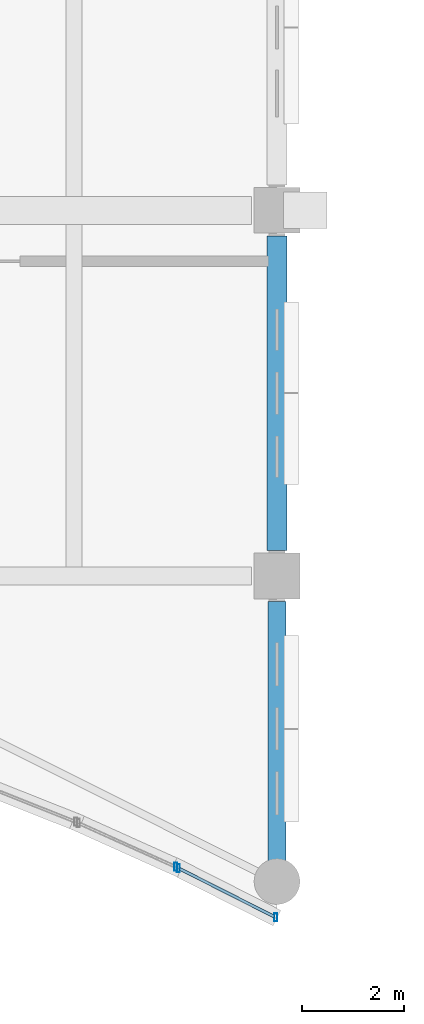
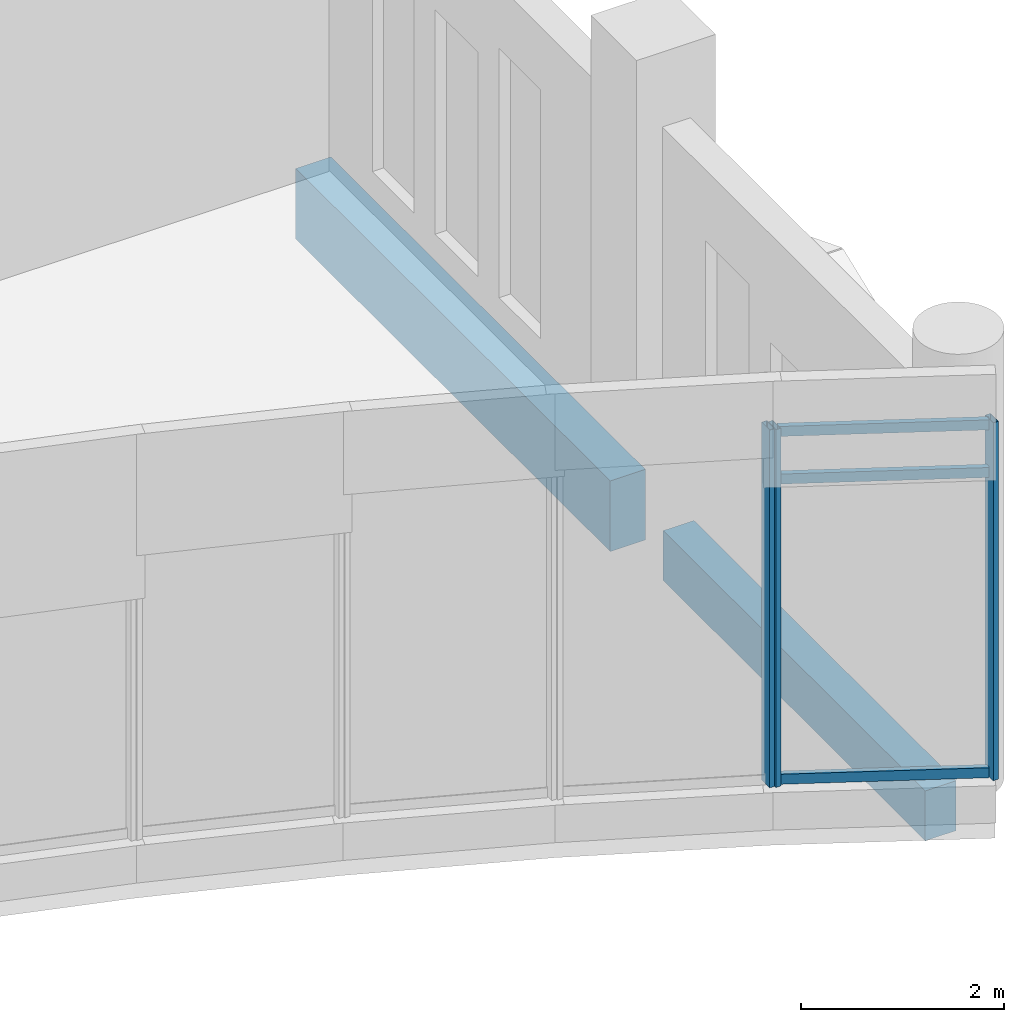
# One storey, part 101 of 192: 6 members, 2 beams, 2 elements without a shape of their own.
"""IFC4 building model written with IfcOpenShell, lengths in metres."""

from ifc_helpers import new_model, si_unit, direction, frame, origin, origin_2d, place, context, subcontext, project, spatial, rectangle, hollow_rectangle, extrude, material, material_profile, profile_set, type_object, element, aggregate, save


model = new_model("IFC4")

# Units and contexts
model_context = context("Model", 3, precision=1e-05, world=origin(), true_north=direction((0.0, 1.0)))
body_context = subcontext(model_context, "Body", "Model", "MODEL_VIEW")
ifc_project = project(units=[si_unit("LENGTHUNIT", "METRE"), si_unit("AREAUNIT", "SQUARE_METRE"), si_unit("VOLUMEUNIT", "CUBIC_METRE"), si_unit("PLANEANGLEUNIT", "RADIAN"), si_unit("MASSUNIT", "GRAM", prefix="KILO")], contexts=[model_context])

# Site, building, storey
site_placement = place(None, origin())
site = spatial("IfcSite", under=ifc_project, at=site_placement, CompositionType="ELEMENT")
building_placement = place(site_placement, origin())
building = spatial("IfcBuilding", under=site, at=building_placement, Name="Cendralis Lancet Convention Centre", CompositionType="ELEMENT")
storey_placement = place(building_placement, origin())
storey = spatial("IfcBuildingStorey", under=building, at=storey_placement, Name="L00", CompositionType="ELEMENT", Elevation=0.0)

# Curtain wall, member
ifc_material_1 = material(Name="Anodised bronze architectural aluminium", Category="aluminium")
curtain_wall_type = type_object("IfcCurtainWallType", Name="ARC-CW-WF02", PredefinedType="USERDEFINED", material=ifc_material_1)
curtain_wall_1_placement = place(storey_placement, origin())
curtain_wall_1 = element("IfcCurtainWall", 1, at=curtain_wall_1_placement, inside=storey, type_object=curtain_wall_type, Name="L00 Curtain Wall CW-WF2 #089", ObjectType="CURTAIN WALL", PredefinedType="USERDEFINED")
ifc_material_profile_1 = material_profile(ifc_material_1, hollow_rectangle(XDim=0.06005859375, YDim=0.159912109375, WallThickness=0.00390625, at=origin_2d()), Name="AL-MULL 60x160x4.0")
ifc_profile_set_1 = profile_set([ifc_material_profile_1], Name="Anodised bronze architectural aluminium")
member_type_1 = type_object("IfcMemberType", Name="ARC-CW-ML01", PredefinedType="MULLION", material=ifc_profile_set_1)
member_1_placement = place(storey_placement, frame((206.8037109375, 1.473388671875, 0.449951171875), z_axis=(0.0, 0.0, 1.0), x_axis=(1.0, 0.0, 0.0)))
member_1 = element("IfcMember", 2, at=member_1_placement, type_object=member_type_1, Name="Mullion CW2-CW-WF2-L00-089-M1", PredefinedType="MULLION", context=body_context, shape_type="SweptSolid", body=[
    extrude(hollow_rectangle(XDim=0.06005859375, YDim=0.159912109375, WallThickness=0.00390625, at=origin_2d()), origin(), (0.0, 0.0, 1.0), 4.304931640625),
])
aggregate(curtain_wall_1, [member_1])

# Curtain wall, members
curtain_wall_2_placement = place(storey_placement, origin())
curtain_wall_2 = element("IfcCurtainWall", 3, at=curtain_wall_2_placement, inside=storey, type_object=curtain_wall_type, Name="L00 Curtain Wall CW-WF2 #090", ObjectType="CURTAIN WALL", PredefinedType="USERDEFINED")
member_2_placement = place(storey_placement, frame((206.85791015625, 1.447509765625, 0.449951171875), z_axis=(0.0, 0.0, 1.0), x_axis=(1.0, 0.0, 0.0)))
member_2 = element("IfcMember", 4, at=member_2_placement, type_object=member_type_1, Name="Mullion CW2-CW-WF2-L00-090-M0", PredefinedType="MULLION", context=body_context, shape_type="SweptSolid", body=[
    extrude(hollow_rectangle(XDim=0.06005859375, YDim=0.159912109375, WallThickness=0.00390625, at=origin_2d()), origin(), (0.0, 0.0, 1.0), 4.304931640625),
])
member_3_placement = place(storey_placement, frame((208.773193359375, 0.4775390625, 0.449951171875), z_axis=(0.0, 0.0, 1.0), x_axis=(1.0, 0.0, 0.0)))
member_3 = element("IfcMember", 5, at=member_3_placement, type_object=member_type_1, Name="Mullion CW2-CW-WF2-L00-090-M1", PredefinedType="MULLION", context=body_context, shape_type="SweptSolid", body=[
    extrude(hollow_rectangle(XDim=0.06005859375, YDim=0.159912109375, WallThickness=0.00390625, at=origin_2d()), origin(), (0.0, 0.0, 1.0), 4.304931640625),
])
ifc_material_profile_2 = material_profile(ifc_material_1, hollow_rectangle(XDim=0.06005859375, YDim=0.1201171875, WallThickness=0.00390625, at=origin_2d()), Name="AL-TRAN 60x120x4.0")
ifc_profile_set_2 = profile_set([ifc_material_profile_2], Name="Anodised bronze architectural aluminium")
member_type_2 = type_object("IfcMemberType", Name="ARC-CW-TR01", PredefinedType="USERDEFINED", material=ifc_profile_set_2)
member_4_placement = place(storey_placement, frame((206.884521484375, 1.433837890625, 0.510009765625), z_axis=(0.89219355713, -0.451653248207, 0.0), x_axis=(0.451653248207, 0.89219355713, 0.0)))
member_4 = element("IfcMember", 6, at=member_4_placement, type_object=member_type_2, Name="Transom CW2-CW-WF2-L00-090-T0BOT", ObjectType="TRANSOM", PredefinedType="USERDEFINED", context=body_context, shape_type="SweptSolid", body=[
    extrude(hollow_rectangle(XDim=0.06005859375, YDim=0.1201171875, WallThickness=0.00390625, at=origin_2d()), origin(), (0.0, 0.0, 1.0), 2.087158203125),
])
member_5_placement = place(storey_placement, frame((206.884521484375, 1.433837890625, 4.1220703125), z_axis=(0.89219355713, -0.451653248207, 0.0), x_axis=(0.451653248207, 0.89219355713, 0.0)))
member_5 = element("IfcMember", 7, at=member_5_placement, type_object=member_type_2, Name="Transom CW2-CW-WF2-L00-090-T0MID", ObjectType="TRANSOM", PredefinedType="USERDEFINED", context=body_context, shape_type="SweptSolid", body=[
    extrude(hollow_rectangle(XDim=0.06005859375, YDim=0.1201171875, WallThickness=0.00390625, at=origin_2d()), origin(), (0.0, 0.0, 1.0), 2.087158203125),
])
member_6_placement = place(storey_placement, frame((206.884521484375, 1.433837890625, 4.695068359375), z_axis=(0.89219355713, -0.451653248207, 0.0), x_axis=(0.451653248207, 0.89219355713, 0.0)))
member_6 = element("IfcMember", 8, at=member_6_placement, type_object=member_type_2, Name="Transom CW2-CW-WF2-L00-090-T0TOP", ObjectType="TRANSOM", PredefinedType="USERDEFINED", context=body_context, shape_type="SweptSolid", body=[
    extrude(hollow_rectangle(XDim=0.06005859375, YDim=0.1201171875, WallThickness=0.00390625, at=origin_2d()), origin(), (0.0, 0.0, 1.0), 2.087158203125),
])
aggregate(curtain_wall_2, [member_2, member_3, member_4, member_5, member_6])

# Beams
ifc_material_2 = material(Name="Concrete G35 (C35/45)", Category="concrete")
ifc_material_profile_3 = material_profile(ifc_material_2, rectangle(XDim=0.35009765625, YDim=0.60009765625, at=origin_2d()), Name="RCB 350x600")
ifc_profile_set_3 = profile_set([ifc_material_profile_3], Name="Concrete G35 (C35/45)")
beam_type_1 = type_object("IfcBeamType", Name="STR-BM-BG16", PredefinedType="BEAM", material=ifc_profile_set_3)
beam_1_placement = place(storey_placement, frame((208.800048828125, 1.53369140625, -0.6201171875), z_axis=(0.0, 1.0, 0.0), x_axis=(-1.0, 0.0, 0.0)))
element("IfcBeam", 9, at=beam_1_placement, inside=storey, type_object=beam_type_1, Name="L00 Beam BG16 #1031", PredefinedType="BEAM", context=body_context, shape_type="SweptSolid", body=[
    extrude(rectangle(XDim=0.35009765625, YDim=0.60009765625, at=origin_2d()), origin(), (0.0, 0.0, 1.0), 5.166259765625),
])
ifc_material_3 = material(Name="Concrete G40 (C40/50)", Category="concrete")
ifc_material_profile_4 = material_profile(ifc_material_3, rectangle(XDim=0.39990234375, YDim=0.85009765625, at=origin_2d()), Name="RCB 400x850")
ifc_profile_set_4 = profile_set([ifc_material_profile_4], Name="Concrete G40 (C40/50)")
beam_type_2 = type_object("IfcBeamType", Name="STR-SP-SP02", PredefinedType="SPANDREL", material=ifc_profile_set_4)
beam_2_placement = place(storey_placement, frame((208.800048828125, 7.699951171875, -0.7451171875), z_axis=(0.0, 1.0, 0.0), x_axis=(-1.0, 0.0, 0.0)))
element("IfcBeam", 10, at=beam_2_placement, inside=storey, type_object=beam_type_2, Name="L00 Beam SP02 #0089", PredefinedType="SPANDREL", context=body_context, shape_type="SweptSolid", body=[
    extrude(rectangle(XDim=0.39990234375, YDim=0.85009765625, at=origin_2d()), origin(), (0.0, 0.0, 1.0), 6.199951171875),
])

save(model, "model.ifc")
